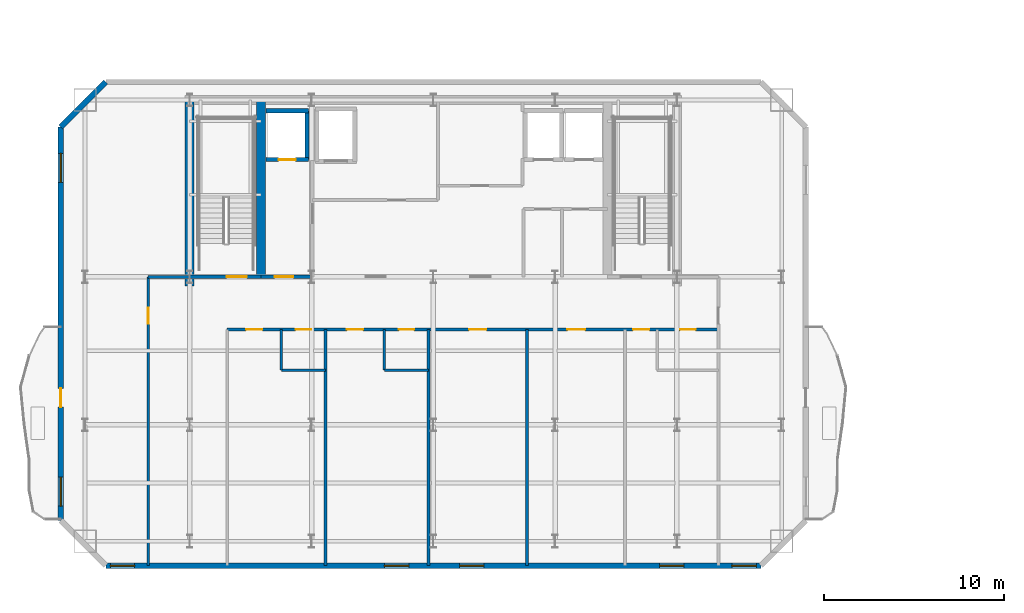
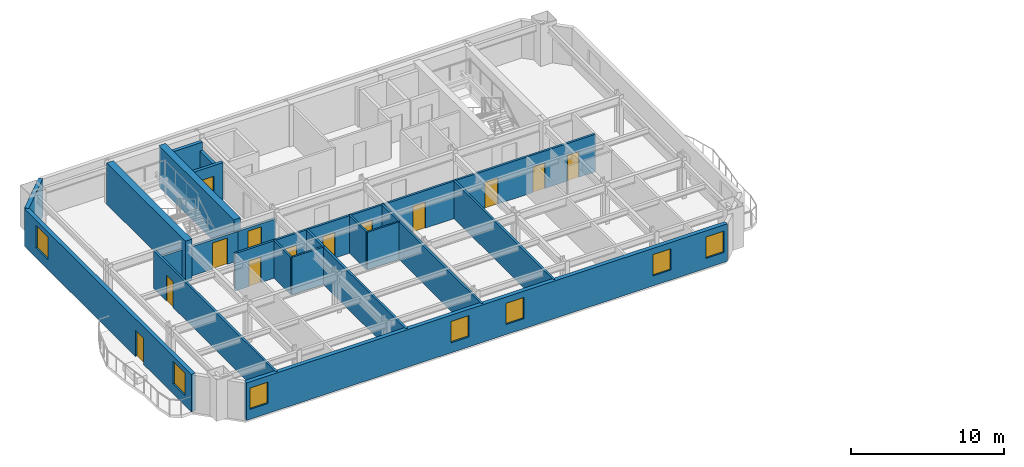
# One storey, part 5 of 13: 20 walls, 13 doors, 7 windows, 20 openings.
"""IFC4 building model written with IfcOpenShell, lengths in metres."""

from ifc_helpers import new_model, si_unit, direction, frame, frame_2d, origin, place, context, subcontext, project, spatial, rectangle, extrude, material, layer, layer_set, type_object, element, fill, save


model = new_model("IFC4")

# Units and contexts
model_context = context("Model", 3, precision=1e-05, world=origin(), true_north=direction((0.0, 1.0)))
body_context = subcontext(model_context, "Body", "Model", "MODEL_VIEW")
ifc_project = project(units=[si_unit("LENGTHUNIT", "METRE"), si_unit("AREAUNIT", "SQUARE_METRE"), si_unit("VOLUMEUNIT", "CUBIC_METRE"), si_unit("PLANEANGLEUNIT", "RADIAN"), si_unit("MASSUNIT", "GRAM", prefix="KILO")], contexts=[model_context])

# Site, building, storey
site_placement = place(None, origin())
site = spatial("IfcSite", under=ifc_project, at=site_placement, CompositionType="ELEMENT")
building_placement = place(site_placement, origin())
building = spatial("IfcBuilding", under=site, at=building_placement, Name="Haevon Station Towers", CompositionType="ELEMENT")
storey_placement = place(building_placement, frame((0.0, 0.0, 189.0)))
storey = spatial("IfcBuildingStorey", under=building, at=storey_placement, Name="L52", CompositionType="ELEMENT", Elevation=189.0)

# Wall, opening, door
ifc_material_1 = material(Name="Gypsum board on steel stud", Category="steel")
ifc_layer_1 = layer(ifc_material_1, 0.199951171875)
ifc_layer_set_1 = layer_set([ifc_layer_1], Name="Gypsum board on steel stud")
wall_type_1 = type_object("IfcWallType", Name="WL-COR200", PredefinedType="PARTITIONING", material=ifc_layer_set_1)
wall_1_placement = place(storey_placement, frame((24.0, 38.199951171875, 0.0), z_axis=(0.0, 0.0, 1.0), x_axis=(1.0, 0.0, 0.0)))
wall_1 = element("IfcWall", 1, at=wall_1_placement, inside=storey, type_object=wall_type_1, Name="WL-ST-ST1-L52", PredefinedType="PARTITIONING", context=body_context, shape_type="SweptSolid", body=[
    extrude(rectangle(XDim=3.949951171875, YDim=0.199951171875, at=frame_2d((1.97509765625, 0.0))), origin(), (0.0, 0.0, 1.0), 2.35009765625),
])
opening_1_placement = place(wall_1_placement, frame((2.050048828125, 0.0, 0.0)))
opening_1 = element("IfcOpeningElement", 2, at=opening_1_placement, cuts=wall_1, Name="Opening DR-ST-ST1-L52", PredefinedType="OPENING", context=body_context, shape_type="SweptSolid", body=[
    extrude(rectangle(XDim=1.1201171875, YDim=2.10009765625, at=frame_2d((0.56005859375, 1.050048828125))), frame((0.0, 0.10986328125, 0.0), z_axis=(0.0, -1.0, 0.0), x_axis=(1.0, 0.0, 0.0)), (0.0, 0.0, 1.0), 0.219970703125),
])
ifc_material_2 = material(Name="Engineered oak timber", Category="wood")
door_type_1 = type_object("IfcDoorType", Name="DR-ST-1120", OperationType="NOTDEFINED", PredefinedType="DOOR", material=ifc_material_2)
door_1_placement = place(opening_1_placement, origin())
door_1 = element("IfcDoor", 3, at=door_1_placement, inside=storey, type_object=door_type_1, Name="L52 Escape Stair ST1 Fire Door", OperationType="SINGLE_SWING_RIGHT", OverallHeight=2.10009765625, OverallWidth=1.1201171875, PredefinedType="DOOR", context=body_context, shape_type="SweptSolid", body=[
    extrude(rectangle(XDim=1.1201171875, YDim=2.10009765625, at=frame_2d((0.56005859375, 1.050048828125))), frame((0.0, 0.02490234375, 0.0), z_axis=(0.0, -1.0, 0.0), x_axis=(1.0, 0.0, 0.0)), (0.0, 0.0, 1.0), 0.050048828125),
])
fill(opening_1, door_1)

wall_2_placement = place(storey_placement, frame((27.949951171875, 38.199951171875, 0.0), z_axis=(0.0, 0.0, 1.0), x_axis=(1.0, 0.0, 0.0)))
wall_2 = element("IfcWall", 4, at=wall_2_placement, inside=storey, type_object=wall_type_1, Name="WL-T1FFL-L52-S", PredefinedType="PARTITIONING", context=body_context, shape_type="SweptSolid", body=[
    extrude(rectangle(XDim=2.85009765625, YDim=0.199951171875, at=frame_2d((1.425048828125, 0.0))), origin(), (0.0, 0.0, 1.0), 2.35009765625),
])
opening_2_placement = place(wall_2_placement, frame((0.75, 0.0, 0.0)))
opening_2 = element("IfcOpeningElement", 5, at=opening_2_placement, cuts=wall_2, Name="Opening DR-T1FFL-L52-S", PredefinedType="OPENING", context=body_context, shape_type="SweptSolid", body=[
    extrude(rectangle(XDim=1.050048828125, YDim=2.10009765625, at=frame_2d((0.52490234375, 1.050048828125))), frame((0.0, 0.10986328125, 0.0), z_axis=(0.0, -1.0, 0.0), x_axis=(1.0, 0.0, 0.0)), (0.0, 0.0, 1.0), 0.219970703125),
])
door_type_2 = type_object("IfcDoorType", Name="DR-FD60-1050", OperationType="NOTDEFINED", PredefinedType="DOOR", material=ifc_material_2)
door_2_placement = place(opening_2_placement, origin())
door_2 = element("IfcDoor", 6, at=door_2_placement, inside=storey, type_object=door_type_2, Name="L52 Tower 1 Firefighting Lift Lobby Door S", OperationType="SINGLE_SWING_LEFT", OverallHeight=2.10009765625, OverallWidth=1.050048828125, PredefinedType="DOOR", context=body_context, shape_type="SweptSolid", body=[
    extrude(rectangle(XDim=1.050048828125, YDim=2.10009765625, at=frame_2d((0.52490234375, 1.050048828125))), frame((0.0, 0.02490234375, 0.0), z_axis=(0.0, -1.0, 0.0), x_axis=(1.0, 0.0, 0.0)), (0.0, 0.0, 1.0), 0.050048828125),
])
fill(opening_2, door_2)

# Walls
ifc_material_3 = material(Name="Concrete C60/75", Category="concrete")
ifc_layer_2 = layer(ifc_material_3, 0.5)
ifc_layer_set_2 = layer_set([ifc_layer_2], Name="Concrete C60/75")
wall_type_2 = type_object("IfcWallType", Name="WL-CR500", PredefinedType="SHEAR", material=ifc_layer_set_2)
wall_3_placement = place(storey_placement, frame((24.0, 37.679931640625, 0.0), z_axis=(0.0, 0.0, 1.0), x_axis=(0.0, 1.0, 0.0)))
element("IfcWall", 7, at=wall_3_placement, inside=storey, type_object=wall_type_2, Name="WL-T1CR-L52-W", PredefinedType="SHEAR", context=body_context, shape_type="SweptSolid", body=[
    extrude(rectangle(XDim=10.320068359375, YDim=0.5, at=frame_2d((5.16015625, 0.0))), origin(), (0.0, 0.0, 1.0), 3.300048828125),
])
wall_4_placement = place(storey_placement, frame((27.949951171875, 38.199951171875, 0.0), z_axis=(0.0, 0.0, 1.0), x_axis=(0.0, 1.0, 0.0)))
element("IfcWall", 8, at=wall_4_placement, inside=storey, type_object=wall_type_2, Name="WL-T1CR-L52-M1", PredefinedType="SHEAR", context=body_context, shape_type="SweptSolid", body=[
    extrude(rectangle(XDim=9.800048828125, YDim=0.5, at=frame_2d((4.89990234375, 0.0))), origin(), (0.0, 0.0, 1.0), 3.300048828125),
])

# Wall, openings, windows
ifc_material_4 = material(Name="Precast concrete C45/55", Category="concrete")
ifc_layer_3 = layer(ifc_material_4, 0.300048828125)
ifc_layer_set_3 = layer_set([ifc_layer_3], Name="Precast concrete C45/55")
wall_type_3 = type_object("IfcWallType", Name="WL-EXT-PIER300", PredefinedType="SOLIDWALL", material=ifc_layer_set_3)
wall_5_placement = place(storey_placement, frame((55.64990234375, 22.199951171875, 0.0), z_axis=(0.0, 0.0, 1.0), x_axis=(-1.0, 0.0, 0.0)))
wall_5 = element("IfcWall", 9, at=wall_5_placement, inside=storey, type_object=wall_type_3, Name="WL-T1-L52-S", PredefinedType="SOLIDWALL", context=body_context, shape_type="SweptSolid", body=[
    extrude(rectangle(XDim=36.2998046875, YDim=0.300048828125, at=frame_2d((18.14990234375, 0.0))), origin(), (0.0, 0.0, 1.0), 3.0),
])
opening_3_placement = place(wall_5_placement, frame((34.699951171875, 0.0, 0.800048828125)))
opening_3 = element("IfcOpeningElement", 10, at=opening_3_placement, cuts=wall_5, Name="Opening WN-P135", PredefinedType="OPENING", context=body_context, shape_type="SweptSolid", body=[
    extrude(rectangle(XDim=1.35009765625, YDim=1.699951171875, at=frame_2d((0.675048828125, 0.85009765625))), frame((0.0, 0.159912109375, 0.0), z_axis=(0.0, -1.0, 0.0), x_axis=(1.0, 0.0, 0.0)), (0.0, 0.0, 1.0), 0.320068359375),
])
opening_4_placement = place(wall_5_placement, frame((0.25, 0.0, 0.800048828125)))
opening_4 = element("IfcOpeningElement", 11, at=opening_4_placement, cuts=wall_5, Name="Opening WN-P135", PredefinedType="OPENING", context=body_context, shape_type="SweptSolid", body=[
    extrude(rectangle(XDim=1.35009765625, YDim=1.699951171875, at=frame_2d((0.675048828125, 0.85009765625))), frame((0.0, 0.159912109375, 0.0), z_axis=(0.0, -1.0, 0.0), x_axis=(1.0, 0.0, 0.0)), (0.0, 0.0, 1.0), 0.320068359375),
])
opening_5_placement = place(wall_5_placement, frame((19.510986328125, 0.0, 0.800048828125)))
opening_5 = element("IfcOpeningElement", 12, at=opening_5_placement, cuts=wall_5, Name="Opening WN-P135", PredefinedType="OPENING", context=body_context, shape_type="SweptSolid", body=[
    extrude(rectangle(XDim=1.35009765625, YDim=1.699951171875, at=frame_2d((0.675048828125, 0.85009765625))), frame((0.0, 0.159912109375, 0.0), z_axis=(0.0, -1.0, 0.0), x_axis=(1.0, 0.0, 0.0)), (0.0, 0.0, 1.0), 0.320068359375),
])
opening_6_placement = place(wall_5_placement, frame((15.34619140625, 0.0, 0.800048828125)))
opening_6 = element("IfcOpeningElement", 13, at=opening_6_placement, cuts=wall_5, Name="Opening WN-P135", PredefinedType="OPENING", context=body_context, shape_type="SweptSolid", body=[
    extrude(rectangle(XDim=1.35009765625, YDim=1.699951171875, at=frame_2d((0.675048828125, 0.85009765625))), frame((0.0, 0.159912109375, 0.0), z_axis=(0.0, -1.0, 0.0), x_axis=(1.0, 0.0, 0.0)), (0.0, 0.0, 1.0), 0.320068359375),
])
opening_7_placement = place(wall_5_placement, frame((4.260986328125, 0.0, 0.800048828125)))
opening_7 = element("IfcOpeningElement", 14, at=opening_7_placement, cuts=wall_5, Name="Opening WN-P135", PredefinedType="OPENING", context=body_context, shape_type="SweptSolid", body=[
    extrude(rectangle(XDim=1.35009765625, YDim=1.699951171875, at=frame_2d((0.675048828125, 0.85009765625))), frame((0.0, 0.159912109375, 0.0), z_axis=(0.0, -1.0, 0.0), x_axis=(1.0, 0.0, 0.0)), (0.0, 0.0, 1.0), 0.320068359375),
])
ifc_material_5 = material(Name="Low-E triple glazing in thermally broken aluminium", Category="aluminium")
window_type_1 = type_object("IfcWindowType", Name="WN-P135", PartitioningType="SINGLE_PANEL", PredefinedType="WINDOW", material=ifc_material_5)
window_1_placement = place(opening_3_placement, origin())
window_1 = element("IfcWindow", 15, at=window_1_placement, inside=storey, type_object=window_type_1, Name="WN-T1-L52-S01", OverallHeight=1.699951171875, OverallWidth=1.35009765625, PartitioningType="SINGLE_PANEL", PredefinedType="WINDOW", context=body_context, shape_type="SweptSolid", body=[
    extrude(rectangle(XDim=1.35009765625, YDim=1.699951171875, at=frame_2d((0.675048828125, 0.85009765625))), frame((0.0, 0.030029296875, 0.0), z_axis=(0.0, -1.0, 0.0), x_axis=(1.0, 0.0, 0.0)), (0.0, 0.0, 1.0), 0.06005859375),
])
fill(opening_3, window_1)
window_2_placement = place(opening_4_placement, origin())
window_2 = element("IfcWindow", 16, at=window_2_placement, inside=storey, type_object=window_type_1, Name="WN-T1-L52-S02", OverallHeight=1.699951171875, OverallWidth=1.35009765625, PartitioningType="SINGLE_PANEL", PredefinedType="WINDOW", context=body_context, shape_type="SweptSolid", body=[
    extrude(rectangle(XDim=1.35009765625, YDim=1.699951171875, at=frame_2d((0.675048828125, 0.85009765625))), frame((0.0, 0.030029296875, 0.0), z_axis=(0.0, -1.0, 0.0), x_axis=(1.0, 0.0, 0.0)), (0.0, 0.0, 1.0), 0.06005859375),
])
fill(opening_4, window_2)
window_3_placement = place(opening_5_placement, origin())
window_3 = element("IfcWindow", 17, at=window_3_placement, inside=storey, type_object=window_type_1, Name="WN-T1-L52-S03", OverallHeight=1.699951171875, OverallWidth=1.35009765625, PartitioningType="SINGLE_PANEL", PredefinedType="WINDOW", context=body_context, shape_type="SweptSolid", body=[
    extrude(rectangle(XDim=1.35009765625, YDim=1.699951171875, at=frame_2d((0.675048828125, 0.85009765625))), frame((0.0, 0.030029296875, 0.0), z_axis=(0.0, -1.0, 0.0), x_axis=(1.0, 0.0, 0.0)), (0.0, 0.0, 1.0), 0.06005859375),
])
fill(opening_5, window_3)
window_4_placement = place(opening_6_placement, origin())
window_4 = element("IfcWindow", 18, at=window_4_placement, inside=storey, type_object=window_type_1, Name="WN-T1-L52-S04", OverallHeight=1.699951171875, OverallWidth=1.35009765625, PartitioningType="SINGLE_PANEL", PredefinedType="WINDOW", context=body_context, shape_type="SweptSolid", body=[
    extrude(rectangle(XDim=1.35009765625, YDim=1.699951171875, at=frame_2d((0.675048828125, 0.85009765625))), frame((0.0, 0.030029296875, 0.0), z_axis=(0.0, -1.0, 0.0), x_axis=(1.0, 0.0, 0.0)), (0.0, 0.0, 1.0), 0.06005859375),
])
fill(opening_6, window_4)
window_5_placement = place(opening_7_placement, origin())
window_5 = element("IfcWindow", 19, at=window_5_placement, inside=storey, type_object=window_type_1, Name="WN-T1-L52-S05", OverallHeight=1.699951171875, OverallWidth=1.35009765625, PartitioningType="SINGLE_PANEL", PredefinedType="WINDOW", context=body_context, shape_type="SweptSolid", body=[
    extrude(rectangle(XDim=1.35009765625, YDim=1.699951171875, at=frame_2d((0.675048828125, 0.85009765625))), frame((0.0, 0.030029296875, 0.0), z_axis=(0.0, -1.0, 0.0), x_axis=(1.0, 0.0, 0.0)), (0.0, 0.0, 1.0), 0.06005859375),
])
fill(opening_7, window_5)

# Wall, openings, door, windows
wall_6_placement = place(storey_placement, frame((16.85009765625, 24.699951171875, 0.0), z_axis=(0.0, 0.0, 1.0), x_axis=(0.0, 1.0, 0.0)))
wall_6 = element("IfcWall", 20, at=wall_6_placement, inside=storey, type_object=wall_type_3, Name="WL-T1-L52-W", PredefinedType="SOLIDWALL", context=body_context, shape_type="SweptSolid", body=[
    extrude(rectangle(XDim=21.800048828125, YDim=0.300048828125, at=frame_2d((10.89990234375, 0.0))), origin(), (0.0, 0.0, 1.0), 3.0),
])
opening_8_placement = place(wall_6_placement, frame((6.27490234375, 0.0, 0.0)))
opening_8 = element("IfcOpeningElement", 21, at=opening_8_placement, cuts=wall_6, Name="Opening DR-T1-SCAL-L52-W", PredefinedType="OPENING", context=body_context, shape_type="SweptSolid", body=[
    extrude(rectangle(XDim=1.050048828125, YDim=2.10009765625, at=frame_2d((0.52490234375, 1.050048828125))), frame((0.0, 0.159912109375, 0.0), z_axis=(0.0, -1.0, 0.0), x_axis=(1.0, 0.0, 0.0)), (0.0, 0.0, 1.0), 0.320068359375),
])
opening_9_placement = place(wall_6_placement, frame((0.800048828125, 0.0, 0.800048828125)))
opening_9 = element("IfcOpeningElement", 22, at=opening_9_placement, cuts=wall_6, Name="Opening WN-END160", PredefinedType="OPENING", context=body_context, shape_type="SweptSolid", body=[
    extrude(rectangle(XDim=1.60009765625, YDim=1.800048828125, at=frame_2d((0.800048828125, 0.89990234375))), frame((0.0, 0.159912109375, 0.0), z_axis=(0.0, -1.0, 0.0), x_axis=(1.0, 0.0, 0.0)), (0.0, 0.0, 1.0), 0.320068359375),
])
opening_10_placement = place(wall_6_placement, frame((18.735595703125, 0.0, 0.800048828125)))
opening_10 = element("IfcOpeningElement", 23, at=opening_10_placement, cuts=wall_6, Name="Opening WN-END160", PredefinedType="OPENING", context=body_context, shape_type="SweptSolid", body=[
    extrude(rectangle(XDim=1.60009765625, YDim=1.800048828125, at=frame_2d((0.800048828125, 0.89990234375))), frame((0.0, 0.159912109375, 0.0), z_axis=(0.0, -1.0, 0.0), x_axis=(1.0, 0.0, 0.0)), (0.0, 0.0, 1.0), 0.320068359375),
])
ifc_material_6 = material(Name="Thermally broken anodised aluminium and laminated safety glass", Category="aluminium")
door_type_3 = type_object("IfcDoorType", Name="DR-BALC-1050", OperationType="NOTDEFINED", PredefinedType="DOOR", material=ifc_material_6)
door_3_placement = place(opening_8_placement, origin())
door_3 = element("IfcDoor", 24, at=door_3_placement, inside=storey, type_object=door_type_3, Name="Tower 1 L52 West Scalloped Balcony Door", OperationType="SINGLE_SWING_RIGHT", OverallHeight=2.10009765625, OverallWidth=1.050048828125, PredefinedType="DOOR", context=body_context, shape_type="SweptSolid", body=[
    extrude(rectangle(XDim=1.050048828125, YDim=2.10009765625, at=frame_2d((0.52490234375, 1.050048828125))), frame((0.0, 0.02490234375, 0.0), z_axis=(0.0, -1.0, 0.0), x_axis=(1.0, 0.0, 0.0)), (0.0, 0.0, 1.0), 0.050048828125),
])
fill(opening_8, door_3)
window_type_2 = type_object("IfcWindowType", Name="WN-END160", PartitioningType="SINGLE_PANEL", PredefinedType="WINDOW", material=ifc_material_5)
window_6_placement = place(opening_9_placement, origin())
window_6 = element("IfcWindow", 25, at=window_6_placement, inside=storey, type_object=window_type_2, Name="WN-T1-L52-W01", OverallHeight=1.800048828125, OverallWidth=1.60009765625, PartitioningType="SINGLE_PANEL", PredefinedType="WINDOW", context=body_context, shape_type="SweptSolid", body=[
    extrude(rectangle(XDim=1.60009765625, YDim=1.800048828125, at=frame_2d((0.800048828125, 0.89990234375))), frame((0.0, 0.030029296875, 0.0), z_axis=(0.0, -1.0, 0.0), x_axis=(1.0, 0.0, 0.0)), (0.0, 0.0, 1.0), 0.06005859375),
])
fill(opening_9, window_6)
window_7_placement = place(opening_10_placement, origin())
window_7 = element("IfcWindow", 26, at=window_7_placement, inside=storey, type_object=window_type_2, Name="WN-T1-L52-W02", OverallHeight=1.800048828125, OverallWidth=1.60009765625, PartitioningType="SINGLE_PANEL", PredefinedType="WINDOW", context=body_context, shape_type="SweptSolid", body=[
    extrude(rectangle(XDim=1.60009765625, YDim=1.800048828125, at=frame_2d((0.800048828125, 0.89990234375))), frame((0.0, 0.030029296875, 0.0), z_axis=(0.0, -1.0, 0.0), x_axis=(1.0, 0.0, 0.0)), (0.0, 0.0, 1.0), 0.06005859375),
])
fill(opening_10, window_7)

# Walls
wall_7_placement = place(storey_placement, frame((16.85009765625, 46.5, 0.0), z_axis=(0.0, 0.0, 1.0), x_axis=(0.707106781187, 0.707106781187, 0.0)))
element("IfcWall", 27, at=wall_7_placement, inside=storey, type_object=wall_type_3, Name="WL-T1-L52-NWC", PredefinedType="SOLIDWALL", context=body_context, shape_type="SweptSolid", body=[
    extrude(rectangle(XDim=3.53564453125, YDim=0.300048828125, at=frame_2d((1.767822265625, 0.0))), origin(), (0.0, 0.0, 1.0), 3.0),
])
ifc_layer_4 = layer(ifc_material_1, 0.125)
ifc_layer_set_4 = layer_set([ifc_layer_4], Name="Gypsum board on steel stud")
wall_type_4 = type_object("IfcWallType", Name="WL-PRT125", PredefinedType="PARTITIONING", material=ifc_layer_set_4)
wall_8_placement = place(storey_placement, frame((29.073974609375, 33.030029296875, 0.0), z_axis=(0.0, 0.0, 1.0), x_axis=(0.0, 1.0, 0.0)))
element("IfcWall", 28, at=wall_8_placement, inside=storey, type_object=wall_type_4, Name="WL-T1PT-L52-07", PredefinedType="PARTITIONING", context=body_context, shape_type="SweptSolid", body=[
    extrude(rectangle(XDim=2.25, YDim=0.125, at=frame_2d((1.125, 0.0))), origin(), (0.0, 0.0, 1.0), 3.0),
])
wall_9_placement = place(storey_placement, frame((34.790283203125, 33.030029296875, 0.0), z_axis=(0.0, 0.0, 1.0), x_axis=(1.0, 0.0, 0.0)))
element("IfcWall", 29, at=wall_9_placement, inside=storey, type_object=wall_type_4, Name="WL-T1PT-L52-09", PredefinedType="PARTITIONING", context=body_context, shape_type="SweptSolid", body=[
    extrude(rectangle(XDim=2.449951171875, YDim=0.125, at=frame_2d((1.22509765625, 0.0))), origin(), (0.0, 0.0, 1.0), 3.0),
])
ifc_layer_5 = layer(ifc_material_1, 0.139892578125)
ifc_layer_set_5 = layer_set([ifc_layer_5], Name="Gypsum board on steel stud")
wall_type_5 = type_object("IfcWallType", Name="WL-PRT140", PredefinedType="PARTITIONING", material=ifc_layer_set_5)
wall_10_placement = place(storey_placement, frame((29.073974609375, 33.030029296875, 0.0), z_axis=(0.0, 0.0, 1.0), x_axis=(1.0, 0.0, 0.0)))
element("IfcWall", 30, at=wall_10_placement, inside=storey, type_object=wall_type_5, Name="WL-T1PT-L52-06", PredefinedType="PARTITIONING", context=body_context, shape_type="SweptSolid", body=[
    extrude(rectangle(XDim=2.449951171875, YDim=0.139892578125, at=frame_2d((1.22509765625, 0.0))), origin(), (0.0, 0.0, 1.0), 3.0),
])
wall_11_placement = place(storey_placement, frame((34.790283203125, 33.030029296875, 0.0), z_axis=(0.0, 0.0, 1.0), x_axis=(0.0, 1.0, 0.0)))
element("IfcWall", 31, at=wall_11_placement, inside=storey, type_object=wall_type_5, Name="WL-T1PT-L52-10", PredefinedType="PARTITIONING", context=body_context, shape_type="SweptSolid", body=[
    extrude(rectangle(XDim=2.25, YDim=0.139892578125, at=frame_2d((1.125, 0.0))), origin(), (0.0, 0.0, 1.0), 3.0),
])
ifc_layer_6 = layer(ifc_material_1, 0.159912109375)
ifc_layer_set_6 = layer_set([ifc_layer_6], Name="Gypsum board on steel stud")
wall_type_6 = type_object("IfcWallType", Name="WL-PRT160", PredefinedType="PARTITIONING", material=ifc_layer_set_6)
wall_12_placement = place(storey_placement, frame((21.699951171875, 38.199951171875, 0.0), z_axis=(0.0, 0.0, 1.0), x_axis=(1.0, 0.0, 0.0)))
element("IfcWall", 32, at=wall_12_placement, inside=storey, type_object=wall_type_6, Name="WL-T1PT-L52-02", PredefinedType="PARTITIONING", context=body_context, shape_type="SweptSolid", body=[
    extrude(rectangle(XDim=2.300048828125, YDim=0.159912109375, at=frame_2d((1.14990234375, 0.0))), origin(), (0.0, 0.0, 1.0), 2.35009765625),
])

# Wall, opening, door
wall_13_placement = place(storey_placement, frame((21.699951171875, 22.199951171875, 0.0), z_axis=(0.0, 0.0, 1.0), x_axis=(0.0, 1.0, 0.0)))
wall_13 = element("IfcWall", 33, at=wall_13_placement, inside=storey, type_object=wall_type_6, Name="WL-T1PT-L52-04", PredefinedType="PARTITIONING", context=body_context, shape_type="SweptSolid", body=[
    extrude(rectangle(XDim=16.0, YDim=0.159912109375, at=frame_2d((8.0, 0.0))), origin(), (0.0, 0.0, 1.0), 3.0),
])
opening_11_placement = place(wall_13_placement, frame((13.39990234375, 0.0, 0.0)))
opening_11 = element("IfcOpeningElement", 34, at=opening_11_placement, cuts=wall_13, Name="Opening DR-WL-T1PT-L52-04-01", PredefinedType="OPENING", context=body_context, shape_type="SweptSolid", body=[
    extrude(rectangle(XDim=0.89990234375, YDim=2.050048828125, at=frame_2d((0.449951171875, 1.02490234375))), frame((0.0, 0.08984375, 0.0), z_axis=(0.0, -1.0, 0.0), x_axis=(1.0, 0.0, 0.0)), (0.0, 0.0, 1.0), 0.179931640625),
])
door_type_4 = type_object("IfcDoorType", Name="DR-INT-900", OperationType="NOTDEFINED", PredefinedType="DOOR", material=ifc_material_2)
door_4_placement = place(opening_11_placement, origin())
door_4 = element("IfcDoor", 35, at=door_4_placement, inside=storey, type_object=door_type_4, Name="L52 Tower 1 Room Door 4-1", OperationType="SINGLE_SWING_LEFT", OverallHeight=2.050048828125, OverallWidth=0.89990234375, PredefinedType="DOOR", context=body_context, shape_type="SweptSolid", body=[
    extrude(rectangle(XDim=0.89990234375, YDim=2.050048828125, at=frame_2d((0.449951171875, 1.02490234375))), frame((0.0, 0.02490234375, 0.0), z_axis=(0.0, -1.0, 0.0), x_axis=(1.0, 0.0, 0.0)), (0.0, 0.0, 1.0), 0.050048828125),
])
fill(opening_11, door_4)

# Walls
for number, where, z_axis, x_axis, name in (
    (36, (31.52392578125, 22.199951171875, 0.0), (0.0, 0.0, 1.0), (0.0, 1.0, 0.0), "WL-T1PT-L52-08"),
    (37, (37.240234375, 22.199951171875, 0.0), (0.0, 0.0, 1.0), (0.0, 1.0, 0.0), "WL-T1PT-L52-11"),
    (38, (42.68408203125, 22.199951171875, 0.0), (0.0, 0.0, 1.0), (0.0, 1.0, 0.0), "WL-T1PT-L52-12"),
):
    element("IfcWall", number, at=place(storey_placement, frame(where, z_axis=z_axis, x_axis=x_axis)), inside=storey, type_object=wall_type_6, Name=name, PredefinedType="PARTITIONING", context=body_context, shape_type="SweptSolid", body=[
        extrude(rectangle(XDim=13.080078125, YDim=0.159912109375, at=frame_2d((6.5400390625, 0.0))), origin(), (0.0, 0.0, 1.0), 3.0),
    ])

# Wall, openings, doors
wall_14_placement = place(storey_placement, frame((26.080078125, 35.280029296875, 0.0), z_axis=(0.0, 0.0, 1.0), x_axis=(1.0, 0.0, 0.0)))
wall_14 = element("IfcWall", 39, at=wall_14_placement, inside=storey, type_object=wall_type_6, Name="WL-T1PT-L52-16", PredefinedType="PARTITIONING", context=body_context, shape_type="SweptSolid", body=[
    extrude(rectangle(XDim=27.219970703125, YDim=0.159912109375, at=frame_2d((13.60986328125, 0.0))), origin(), (0.0, 0.0, 1.0), 3.0),
])
opening_12_placement = place(wall_14_placement, frame((3.7939453125, 0.0, 0.0)))
opening_12 = element("IfcOpeningElement", 40, at=opening_12_placement, cuts=wall_14, Name="Opening DR-WL-T1PT-L52-16-01", PredefinedType="OPENING", context=body_context, shape_type="SweptSolid", body=[
    extrude(rectangle(XDim=0.85009765625, YDim=2.050048828125, at=frame_2d((0.425048828125, 1.02490234375))), frame((0.0, 0.08984375, 0.0), z_axis=(0.0, -1.0, 0.0), x_axis=(1.0, 0.0, 0.0)), (0.0, 0.0, 1.0), 0.179931640625),
])
opening_13_placement = place(wall_14_placement, frame((1.047119140625, 0.0, 0.0)))
opening_13 = element("IfcOpeningElement", 41, at=opening_13_placement, cuts=wall_14, Name="Opening DR-WL-T1PT-L52-16-02", PredefinedType="OPENING", context=body_context, shape_type="SweptSolid", body=[
    extrude(rectangle(XDim=0.89990234375, YDim=2.050048828125, at=frame_2d((0.449951171875, 1.02490234375))), frame((0.0, 0.08984375, 0.0), z_axis=(0.0, -1.0, 0.0), x_axis=(1.0, 0.0, 0.0)), (0.0, 0.0, 1.0), 0.179931640625),
])
opening_14_placement = place(wall_14_placement, frame((9.510009765625, 0.0, 0.0)))
opening_14 = element("IfcOpeningElement", 42, at=opening_14_placement, cuts=wall_14, Name="Opening DR-WL-T1PT-L52-16-03", PredefinedType="OPENING", context=body_context, shape_type="SweptSolid", body=[
    extrude(rectangle(XDim=0.85009765625, YDim=2.050048828125, at=frame_2d((0.425048828125, 1.02490234375))), frame((0.0, 0.08984375, 0.0), z_axis=(0.0, -1.0, 0.0), x_axis=(1.0, 0.0, 0.0)), (0.0, 0.0, 1.0), 0.179931640625),
])
opening_15_placement = place(wall_14_placement, frame((6.626953125, 0.0, 0.0)))
opening_15 = element("IfcOpeningElement", 43, at=opening_15_placement, cuts=wall_14, Name="Opening DR-WL-T1PT-L52-16-04", PredefinedType="OPENING", context=body_context, shape_type="SweptSolid", body=[
    extrude(rectangle(XDim=0.89990234375, YDim=2.050048828125, at=frame_2d((0.449951171875, 1.02490234375))), frame((0.0, 0.08984375, 0.0), z_axis=(0.0, -1.0, 0.0), x_axis=(1.0, 0.0, 0.0)), (0.0, 0.0, 1.0), 0.179931640625),
])
opening_16_placement = place(wall_14_placement, frame((13.406982421875, 0.0, 0.0)))
opening_16 = element("IfcOpeningElement", 44, at=opening_16_placement, cuts=wall_14, Name="Opening DR-WL-T1PT-L52-16-05", PredefinedType="OPENING", context=body_context, shape_type="SweptSolid", body=[
    extrude(rectangle(XDim=0.949951171875, YDim=2.10009765625, at=frame_2d((0.47509765625, 1.050048828125))), frame((0.0, 0.08984375, 0.0), z_axis=(0.0, -1.0, 0.0), x_axis=(1.0, 0.0, 0.0)), (0.0, 0.0, 1.0), 0.179931640625),
])
opening_17_placement = place(wall_14_placement, frame((18.85107421875, 0.0, 0.0)))
opening_17 = element("IfcOpeningElement", 45, at=opening_17_placement, cuts=wall_14, Name="Opening DR-WL-T1PT-L52-16-06", PredefinedType="OPENING", context=body_context, shape_type="SweptSolid", body=[
    extrude(rectangle(XDim=0.97998046875, YDim=2.10009765625, at=frame_2d((0.489990234375, 1.050048828125))), frame((0.0, 0.08984375, 0.0), z_axis=(0.0, -1.0, 0.0), x_axis=(1.0, 0.0, 0.0)), (0.0, 0.0, 1.0), 0.179931640625),
])
opening_18_placement = place(wall_14_placement, frame((25.09912109375, 0.0, 0.0)))
opening_18 = element("IfcOpeningElement", 46, at=opening_18_placement, cuts=wall_14, Name="Opening DR-WL-T1PT-L52-16-07", PredefinedType="OPENING", context=body_context, shape_type="SweptSolid", body=[
    extrude(rectangle(XDim=0.85009765625, YDim=2.050048828125, at=frame_2d((0.425048828125, 1.02490234375))), frame((0.0, 0.08984375, 0.0), z_axis=(0.0, -1.0, 0.0), x_axis=(1.0, 0.0, 0.0)), (0.0, 0.0, 1.0), 0.179931640625),
])
opening_19_placement = place(wall_14_placement, frame((22.488037109375, 0.0, 0.0)))
opening_19 = element("IfcOpeningElement", 47, at=opening_19_placement, cuts=wall_14, Name="Opening DR-WL-T1PT-L52-16-08", PredefinedType="OPENING", context=body_context, shape_type="SweptSolid", body=[
    extrude(rectangle(XDim=0.89990234375, YDim=2.050048828125, at=frame_2d((0.449951171875, 1.02490234375))), frame((0.0, 0.08984375, 0.0), z_axis=(0.0, -1.0, 0.0), x_axis=(1.0, 0.0, 0.0)), (0.0, 0.0, 1.0), 0.179931640625),
])
door_type_5 = type_object("IfcDoorType", Name="DR-FD30-850", OperationType="NOTDEFINED", PredefinedType="DOOR", material=ifc_material_2)
door_5_placement = place(opening_12_placement, origin())
door_5 = element("IfcDoor", 48, at=door_5_placement, inside=storey, type_object=door_type_5, Name="L52 Tower 1 Room Door 16-1", OperationType="SINGLE_SWING_LEFT", OverallHeight=2.050048828125, OverallWidth=0.85009765625, PredefinedType="DOOR", context=body_context, shape_type="SweptSolid", body=[
    extrude(rectangle(XDim=0.85009765625, YDim=2.050048828125, at=frame_2d((0.425048828125, 1.02490234375))), frame((0.0, 0.02490234375, 0.0), z_axis=(0.0, -1.0, 0.0), x_axis=(1.0, 0.0, 0.0)), (0.0, 0.0, 1.0), 0.050048828125),
])
fill(opening_12, door_5)
door_6_placement = place(opening_14_placement, origin())
door_6 = element("IfcDoor", 49, at=door_6_placement, inside=storey, type_object=door_type_5, Name="L52 Tower 1 Room Door 16-3", OperationType="SINGLE_SWING_LEFT", OverallHeight=2.050048828125, OverallWidth=0.85009765625, PredefinedType="DOOR", context=body_context, shape_type="SweptSolid", body=[
    extrude(rectangle(XDim=0.85009765625, YDim=2.050048828125, at=frame_2d((0.425048828125, 1.02490234375))), frame((0.0, 0.02490234375, 0.0), z_axis=(0.0, -1.0, 0.0), x_axis=(1.0, 0.0, 0.0)), (0.0, 0.0, 1.0), 0.050048828125),
])
fill(opening_14, door_6)
door_7_placement = place(opening_18_placement, origin())
door_7 = element("IfcDoor", 50, at=door_7_placement, inside=storey, type_object=door_type_5, Name="L52 Tower 1 Room Door 16-7", OperationType="SINGLE_SWING_LEFT", OverallHeight=2.050048828125, OverallWidth=0.85009765625, PredefinedType="DOOR", context=body_context, shape_type="SweptSolid", body=[
    extrude(rectangle(XDim=0.85009765625, YDim=2.050048828125, at=frame_2d((0.425048828125, 1.02490234375))), frame((0.0, 0.02490234375, 0.0), z_axis=(0.0, -1.0, 0.0), x_axis=(1.0, 0.0, 0.0)), (0.0, 0.0, 1.0), 0.050048828125),
])
fill(opening_18, door_7)
door_type_6 = type_object("IfcDoorType", Name="DR-FD30-950", OperationType="NOTDEFINED", PredefinedType="DOOR", material=ifc_material_2)
door_8_placement = place(opening_16_placement, origin())
door_8 = element("IfcDoor", 51, at=door_8_placement, inside=storey, type_object=door_type_6, Name="L52 Tower 1 Room Door 16-5", OperationType="SINGLE_SWING_LEFT", OverallHeight=2.10009765625, OverallWidth=0.949951171875, PredefinedType="DOOR", context=body_context, shape_type="SweptSolid", body=[
    extrude(rectangle(XDim=0.949951171875, YDim=2.10009765625, at=frame_2d((0.47509765625, 1.050048828125))), frame((0.0, 0.02490234375, 0.0), z_axis=(0.0, -1.0, 0.0), x_axis=(1.0, 0.0, 0.0)), (0.0, 0.0, 1.0), 0.050048828125),
])
fill(opening_16, door_8)
door_type_7 = type_object("IfcDoorType", Name="DR-FD30-980", OperationType="NOTDEFINED", PredefinedType="DOOR", material=ifc_material_2)
door_9_placement = place(opening_17_placement, origin())
door_9 = element("IfcDoor", 52, at=door_9_placement, inside=storey, type_object=door_type_7, Name="L52 Tower 1 Room Door 16-6", OperationType="SINGLE_SWING_RIGHT", OverallHeight=2.10009765625, OverallWidth=0.97998046875, PredefinedType="DOOR", context=body_context, shape_type="SweptSolid", body=[
    extrude(rectangle(XDim=0.97998046875, YDim=2.10009765625, at=frame_2d((0.489990234375, 1.050048828125))), frame((0.0, 0.02490234375, 0.0), z_axis=(0.0, -1.0, 0.0), x_axis=(1.0, 0.0, 0.0)), (0.0, 0.0, 1.0), 0.050048828125),
])
fill(opening_17, door_9)
door_10_placement = place(opening_13_placement, origin())
door_10 = element("IfcDoor", 53, at=door_10_placement, inside=storey, type_object=door_type_4, Name="L52 Tower 1 Room Door 16-2", OperationType="SINGLE_SWING_RIGHT", OverallHeight=2.050048828125, OverallWidth=0.89990234375, PredefinedType="DOOR", context=body_context, shape_type="SweptSolid", body=[
    extrude(rectangle(XDim=0.89990234375, YDim=2.050048828125, at=frame_2d((0.449951171875, 1.02490234375))), frame((0.0, 0.02490234375, 0.0), z_axis=(0.0, -1.0, 0.0), x_axis=(1.0, 0.0, 0.0)), (0.0, 0.0, 1.0), 0.050048828125),
])
fill(opening_13, door_10)
door_11_placement = place(opening_15_placement, origin())
door_11 = element("IfcDoor", 54, at=door_11_placement, inside=storey, type_object=door_type_4, Name="L52 Tower 1 Room Door 16-4", OperationType="SINGLE_SWING_RIGHT", OverallHeight=2.050048828125, OverallWidth=0.89990234375, PredefinedType="DOOR", context=body_context, shape_type="SweptSolid", body=[
    extrude(rectangle(XDim=0.89990234375, YDim=2.050048828125, at=frame_2d((0.449951171875, 1.02490234375))), frame((0.0, 0.02490234375, 0.0), z_axis=(0.0, -1.0, 0.0), x_axis=(1.0, 0.0, 0.0)), (0.0, 0.0, 1.0), 0.050048828125),
])
fill(opening_15, door_11)
door_12_placement = place(opening_19_placement, origin())
door_12 = element("IfcDoor", 55, at=door_12_placement, inside=storey, type_object=door_type_4, Name="L52 Tower 1 Room Door 16-8", OperationType="SINGLE_SWING_RIGHT", OverallHeight=2.050048828125, OverallWidth=0.89990234375, PredefinedType="DOOR", context=body_context, shape_type="SweptSolid", body=[
    extrude(rectangle(XDim=0.89990234375, YDim=2.050048828125, at=frame_2d((0.449951171875, 1.02490234375))), frame((0.0, 0.02490234375, 0.0), z_axis=(0.0, -1.0, 0.0), x_axis=(1.0, 0.0, 0.0)), (0.0, 0.0, 1.0), 0.050048828125),
])
fill(opening_19, door_12)

# Wall, opening, door
ifc_material_7 = material(Name="Concrete C40/50", Category="concrete")
ifc_layer_7 = layer(ifc_material_7, 0.239990234375)
ifc_layer_set_7 = layer_set([ifc_layer_7], Name="Concrete C40/50")
wall_type_7 = type_object("IfcWallType", Name="WL-SHF240", PredefinedType="PARTITIONING", material=ifc_layer_set_7)
wall_15_placement = place(storey_placement, frame((28.219970703125, 44.699951171875, 0.0), z_axis=(0.0, 0.0, 1.0), x_axis=(1.0, 0.0, 0.0)))
wall_15 = element("IfcWall", 56, at=wall_15_placement, inside=storey, type_object=wall_type_7, Name="WL-SHF-FL1-L52", PredefinedType="PARTITIONING", context=body_context, shape_type="SweptSolid", body=[
    extrude(rectangle(XDim=2.360107421875, YDim=0.239990234375, at=frame_2d((1.18017578125, 0.0))), origin(), (0.0, 0.0, 1.0), 3.0),
])
opening_20_placement = place(wall_15_placement, frame((0.705078125, 0.0, 0.0)))
opening_20 = element("IfcOpeningElement", 57, at=opening_20_placement, cuts=wall_15, Name="Opening LD-FL1-L52", PredefinedType="OPENING", context=body_context, shape_type="SweptSolid", body=[
    extrude(rectangle(XDim=0.949951171875, YDim=2.14990234375, at=frame_2d((0.47509765625, 1.074951171875))), frame((0.0, 0.1298828125, 0.0), z_axis=(0.0, -1.0, 0.0), x_axis=(1.0, 0.0, 0.0)), (0.0, 0.0, 1.0), 0.260009765625),
])
ifc_material_8 = material(Name="Stainless steel and rated core", Category="steel")
door_type_8 = type_object("IfcDoorType", Name="LD-FL950", OperationType="SLIDING_TO_LEFT", PredefinedType="DOOR", material=ifc_material_8)
door_13_placement = place(opening_20_placement, origin())
door_13 = element("IfcDoor", 58, at=door_13_placement, inside=storey, type_object=door_type_8, Name="L52 Lift FL1 Sliding Landing Door", OperationType="SLIDING_TO_LEFT", OverallHeight=2.14990234375, OverallWidth=0.949951171875, PredefinedType="DOOR", context=body_context, shape_type="SweptSolid", body=[
    extrude(rectangle(XDim=0.949951171875, YDim=2.14990234375, at=frame_2d((0.47509765625, 1.074951171875))), frame((0.0, 0.02490234375, 0.0), z_axis=(0.0, -1.0, 0.0), x_axis=(1.0, 0.0, 0.0)), (0.0, 0.0, 1.0), 0.050048828125),
])
fill(opening_20, door_13)

# Walls
wall_16_placement = place(storey_placement, frame((28.219970703125, 47.39990234375, 0.0), z_axis=(0.0, 0.0, 1.0), x_axis=(1.0, 0.0, 0.0)))
element("IfcWall", 59, at=wall_16_placement, inside=storey, type_object=wall_type_7, Name="WL-SHF-FL1-L52-N", PredefinedType="PARTITIONING", context=body_context, shape_type="SweptSolid", body=[
    extrude(rectangle(XDim=2.360107421875, YDim=0.239990234375, at=frame_2d((1.18017578125, 0.0))), origin(), (0.0, 0.0, 1.0), 3.0),
])
wall_17_placement = place(storey_placement, frame((30.5, 44.699951171875, 0.0), z_axis=(0.0, 0.0, 1.0), x_axis=(0.0, 1.0, 0.0)))
element("IfcWall", 60, at=wall_17_placement, inside=storey, type_object=wall_type_7, Name="WL-SHF-FL1-L52-E", PredefinedType="PARTITIONING", context=body_context, shape_type="SweptSolid", body=[
    extrude(rectangle(XDim=2.699951171875, YDim=0.239990234375, at=frame_2d((1.35009765625, 0.0))), origin(), (0.0, 0.0, 1.0), 2.35009765625),
])

save(model, "model.ifc")
